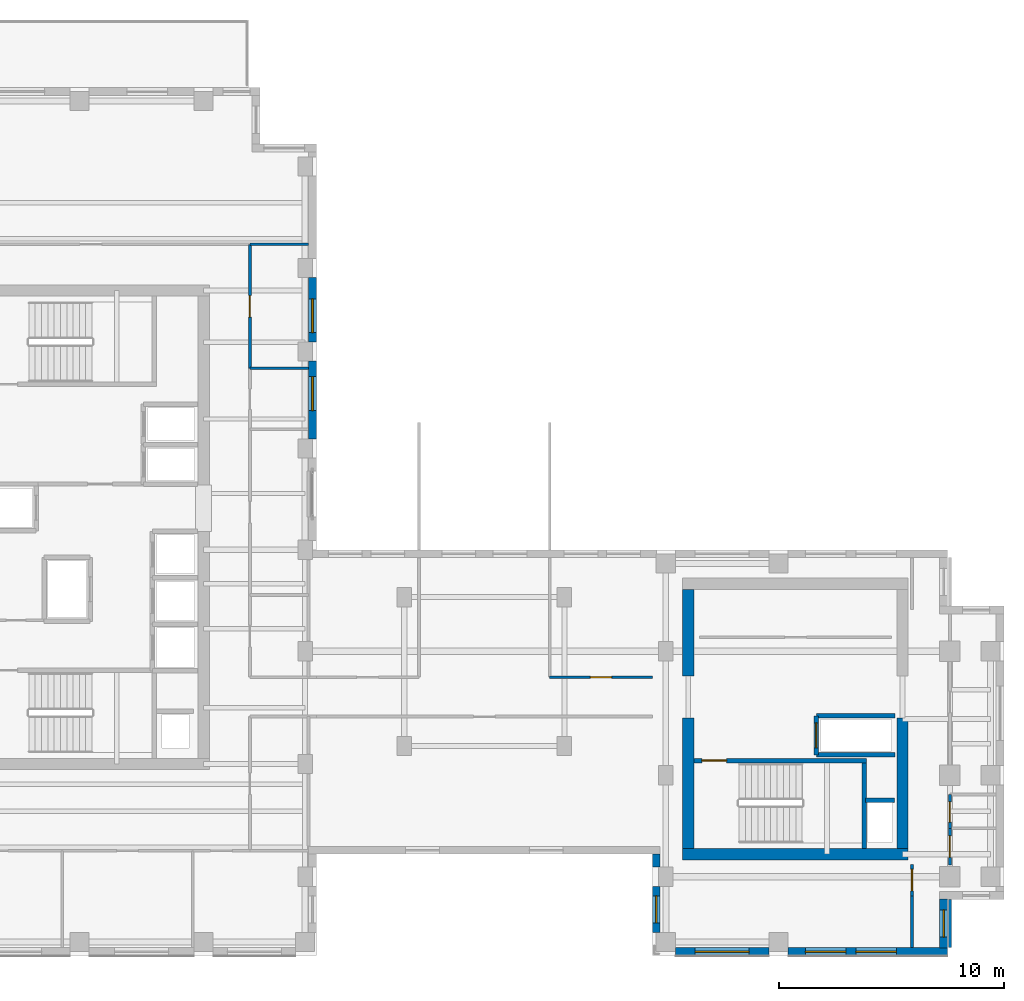
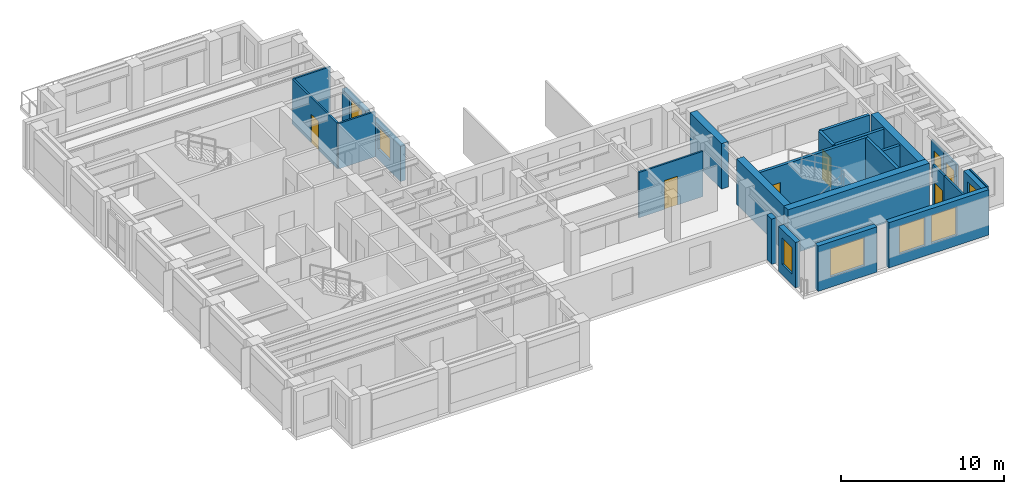
# One storey, part 9 of 14: 26 walls, 7 doors, 7 windows, 14 openings.
"""IFC4 building model written with IfcOpenShell, lengths in metres."""

from ifc_helpers import new_model, si_unit, direction, frame, frame_2d, origin, place, context, subcontext, project, spatial, rectangle, extrude, source, transform, mapped, material, layer, layer_set, type_object, element, fill, save


model = new_model("IFC4")

# Units and contexts
model_context = context("Model", 3, precision=1e-05, world=origin(), true_north=direction((0.0, 1.0)))
body_context = subcontext(model_context, "Body", "Model", "MODEL_VIEW")
ifc_project = project(units=[si_unit("LENGTHUNIT", "METRE"), si_unit("AREAUNIT", "SQUARE_METRE"), si_unit("VOLUMEUNIT", "CUBIC_METRE"), si_unit("PLANEANGLEUNIT", "RADIAN"), si_unit("MASSUNIT", "GRAM", prefix="KILO")], contexts=[model_context])

# Site, building, storey
site_placement = place(None, origin())
site = spatial("IfcSite", under=ifc_project, at=site_placement, CompositionType="ELEMENT")
building_placement = place(site_placement, origin())
building = spatial("IfcBuilding", under=site, at=building_placement, Name="Kharzan Plaza Tower", CompositionType="ELEMENT")
storey_placement = place(building_placement, frame((0.0, 0.0, 212.39990234375)))
storey = spatial("IfcBuildingStorey", under=building, at=storey_placement, Name="L57", CompositionType="ELEMENT", Elevation=212.39990234375)

# Wall, opening, window
ifc_material_1 = material(Name="Concrete C40/50", Category="concrete")
ifc_layer_1 = layer(ifc_material_1, 0.35009765625)
ifc_layer_set_1 = layer_set([ifc_layer_1], Name="Concrete C40/50")
wall_type_1 = type_object("IfcWallType", Name="WL-EXT-MAS-Z4", PredefinedType="SOLIDWALL", material=ifc_layer_set_1)
wall_1_placement = place(storey_placement, frame((34.574951171875, 3.076904296875, 0.0), z_axis=(0.0, 0.0, 1.0), x_axis=(0.0, -1.0, 0.0)))
wall_1 = element("IfcWall", 1, at=wall_1_placement, inside=storey, type_object=wall_type_1, Name="L57 Masonry-Frame Exterior Wall 29", PredefinedType="SOLIDWALL", context=body_context, shape_type="SweptSolid", body=[
    extrude(rectangle(XDim=2.053955078125, YDim=0.35009765625, at=frame_2d((1.02685546875, 0.0))), origin(), (0.0, 0.0, 1.0), 3.385009765625),
])
opening_1_placement = place(wall_1_placement, frame((0.427001953125, 0.0, 0.780029296875)))
opening_1 = element("IfcOpeningElement", 2, at=opening_1_placement, cuts=wall_1, Name="Opening W3", PredefinedType="OPENING", context=body_context, shape_type="SweptSolid", body=[
    extrude(rectangle(XDim=1.199951171875, YDim=2.0, at=frame_2d((0.60009765625, 1.0))), frame((0.0, 0.18505859375, 0.0), z_axis=(0.0, -1.0, 0.0), x_axis=(1.0, 0.0, 0.0)), (0.0, 0.0, 1.0), 0.3701171875),
])
ifc_material_2 = material(Name="Low-E Double Glazing", Category="glass")
window_type_1 = type_object("IfcWindowType", Name="WN-REC-1200x2100", PartitioningType="SINGLE_PANEL", PredefinedType="WINDOW", material=ifc_material_2)
shared_shape_1 = source(origin(), body_context, "Body", "SweptSolid", [
    extrude(rectangle(XDim=1.199951171875, YDim=2.0, at=frame_2d((0.60009765625, 1.0))), frame((0.0, 0.030029296875, 0.0), z_axis=(0.0, -1.0, 0.0), x_axis=(1.0, 0.0, 0.0)), (0.0, 0.0, 1.0), 0.06005859375),
])
window_1_placement = place(opening_1_placement, origin())
window_1 = element("IfcWindow", 3, at=window_1_placement, inside=storey, type_object=window_type_1, Name="L57 Recessed Solar-Control Window 29-1", OverallHeight=2.0, OverallWidth=1.199951171875, PartitioningType="SINGLE_PANEL", PredefinedType="WINDOW", context=body_context, shape_type="MappedRepresentation", body=[
    mapped(shared_shape_1, transform((0.0, 0.0, 0.0), x_axis=(1.0, 0.0, 0.0), y_axis=(0.0, 1.0, 0.0), z_axis=(0.0, 0.0, 1.0))),
])
fill(opening_1, window_1)

wall_2_placement = place(storey_placement, frame((35.423095703125, 0.175048828125, 0.0), z_axis=(0.0, 0.0, 1.0), x_axis=(1.0, 0.0, 0.0)))
wall_2 = element("IfcWall", 4, at=wall_2_placement, inside=storey, type_object=wall_type_1, Name="L57 Masonry-Frame Exterior Wall 30", PredefinedType="SOLIDWALL", context=body_context, shape_type="SweptSolid", body=[
    extrude(rectangle(XDim=4.15380859375, YDim=0.35009765625, at=frame_2d((2.076904296875, 0.0))), origin(), (0.0, 0.0, 1.0), 3.385009765625),
])
opening_2_placement = place(wall_2_placement, frame((0.876953125, 0.0, 0.780029296875)))
opening_2 = element("IfcOpeningElement", 5, at=opening_2_placement, cuts=wall_2, Name="Opening W2", PredefinedType="OPENING", context=body_context, shape_type="SweptSolid", body=[
    extrude(rectangle(XDim=2.39990234375, YDim=2.10009765625, at=frame_2d((1.199951171875, 1.050048828125))), frame((0.0, 0.18505859375, 0.0), z_axis=(0.0, -1.0, 0.0), x_axis=(1.0, 0.0, 0.0)), (0.0, 0.0, 1.0), 0.3701171875),
])
window_type_2 = type_object("IfcWindowType", Name="WN-REC-2400x2100", PartitioningType="SINGLE_PANEL", PredefinedType="WINDOW", material=ifc_material_2)
shared_shape_2 = source(origin(), body_context, "Body", "SweptSolid", [
    extrude(rectangle(XDim=2.39990234375, YDim=2.10009765625, at=frame_2d((1.199951171875, 1.050048828125))), frame((0.0, 0.030029296875, 0.0), z_axis=(0.0, -1.0, 0.0), x_axis=(1.0, 0.0, 0.0)), (0.0, 0.0, 1.0), 0.06005859375),
])
window_2_placement = place(opening_2_placement, origin())
window_2 = element("IfcWindow", 6, at=window_2_placement, inside=storey, type_object=window_type_2, Name="L57 Wide Recessed Solar-Control Window 30-1", OverallHeight=2.10009765625, OverallWidth=2.39990234375, PartitioningType="SINGLE_PANEL", PredefinedType="WINDOW", context=body_context, shape_type="MappedRepresentation", body=[
    mapped(shared_shape_2, transform((0.0, 0.0, 0.0), x_axis=(1.0, 0.0, 0.0), y_axis=(0.0, 1.0, 0.0), z_axis=(0.0, 0.0, 1.0))),
])
fill(opening_2, window_2)

# Wall, openings, windows
wall_3_placement = place(storey_placement, frame((40.423095703125, 0.175048828125, 0.0), z_axis=(0.0, 0.0, 1.0), x_axis=(1.0, 0.0, 0.0)))
wall_3 = element("IfcWall", 7, at=wall_3_placement, inside=storey, type_object=wall_type_1, Name="L57 Masonry-Frame Exterior Wall 31", PredefinedType="SOLIDWALL", context=body_context, shape_type="SweptSolid", body=[
    extrude(rectangle(XDim=7.076904296875, YDim=0.35009765625, at=frame_2d((3.53857421875, 0.0))), origin(), (0.0, 0.0, 1.0), 3.385009765625),
])
opening_3_placement = place(wall_3_placement, frame((0.76220703125, 0.0, 0.780029296875)))
opening_3 = element("IfcOpeningElement", 8, at=opening_3_placement, cuts=wall_3, Name="Opening W1", PredefinedType="OPENING", context=body_context, shape_type="SweptSolid", body=[
    extrude(rectangle(XDim=1.800048828125, YDim=2.10009765625, at=frame_2d((0.89990234375, 1.050048828125))), frame((0.0, 0.18505859375, 0.0), z_axis=(0.0, -1.0, 0.0), x_axis=(1.0, 0.0, 0.0)), (0.0, 0.0, 1.0), 0.3701171875),
])
opening_4_placement = place(wall_3_placement, frame((3.004638671875, 0.0, 0.780029296875)))
opening_4 = element("IfcOpeningElement", 9, at=opening_4_placement, cuts=wall_3, Name="Opening W1", PredefinedType="OPENING", context=body_context, shape_type="SweptSolid", body=[
    extrude(rectangle(XDim=1.800048828125, YDim=2.10009765625, at=frame_2d((0.89990234375, 1.050048828125))), frame((0.0, 0.18505859375, 0.0), z_axis=(0.0, -1.0, 0.0), x_axis=(1.0, 0.0, 0.0)), (0.0, 0.0, 1.0), 0.3701171875),
])
window_type_3 = type_object("IfcWindowType", Name="WN-REC-1800x2100", PartitioningType="SINGLE_PANEL", PredefinedType="WINDOW", material=ifc_material_2)
shared_shape_3 = source(origin(), body_context, "Body", "SweptSolid", [
    extrude(rectangle(XDim=1.800048828125, YDim=2.10009765625, at=frame_2d((0.89990234375, 1.050048828125))), frame((0.0, 0.030029296875, 0.0), z_axis=(0.0, -1.0, 0.0), x_axis=(1.0, 0.0, 0.0)), (0.0, 0.0, 1.0), 0.06005859375),
])
window_3_placement = place(opening_3_placement, origin())
window_3 = element("IfcWindow", 10, at=window_3_placement, inside=storey, type_object=window_type_3, Name="L57 Recessed Solar-Control Window 31-1", OverallHeight=2.10009765625, OverallWidth=1.800048828125, PartitioningType="SINGLE_PANEL", PredefinedType="WINDOW", context=body_context, shape_type="MappedRepresentation", body=[
    mapped(shared_shape_3, transform((0.0, 0.0, 0.0), x_axis=(1.0, 0.0, 0.0), y_axis=(0.0, 1.0, 0.0), z_axis=(0.0, 0.0, 1.0))),
])
fill(opening_3, window_3)
window_4_placement = place(opening_4_placement, origin())
window_4 = element("IfcWindow", 11, at=window_4_placement, inside=storey, type_object=window_type_3, Name="L57 Recessed Solar-Control Window 31-2", OverallHeight=2.10009765625, OverallWidth=1.800048828125, PartitioningType="SINGLE_PANEL", PredefinedType="WINDOW", context=body_context, shape_type="MappedRepresentation", body=[
    mapped(shared_shape_3, transform((0.0, 0.0, 0.0), x_axis=(1.0, 0.0, 0.0), y_axis=(0.0, 1.0, 0.0), z_axis=(0.0, 0.0, 1.0))),
])
fill(opening_4, window_4)

# Wall, opening, window
wall_4_placement = place(storey_placement, frame((47.324951171875, 0.347900390625, 0.0), z_axis=(0.0, 0.0, 1.0), x_axis=(0.0, 1.0, 0.0)))
wall_4 = element("IfcWall", 12, at=wall_4_placement, inside=storey, type_object=wall_type_1, Name="L57 Masonry-Frame Exterior Wall 32", PredefinedType="SOLIDWALL", context=body_context, shape_type="SweptSolid", body=[
    extrude(rectangle(XDim=2.154052734375, YDim=0.35009765625, at=frame_2d((1.0771484375, 0.0))), origin(), (0.0, 0.0, 1.0), 3.385009765625),
])
opening_5_placement = place(wall_4_placement, frame((0.47705078125, 0.0, 0.780029296875)))
opening_5 = element("IfcOpeningElement", 13, at=opening_5_placement, cuts=wall_4, Name="Opening W3", PredefinedType="OPENING", context=body_context, shape_type="SweptSolid", body=[
    extrude(rectangle(XDim=1.199951171875, YDim=2.10009765625, at=frame_2d((0.60009765625, 1.050048828125))), frame((0.0, 0.18505859375, 0.0), z_axis=(0.0, -1.0, 0.0), x_axis=(1.0, 0.0, 0.0)), (0.0, 0.0, 1.0), 0.3701171875),
])
shared_shape_4 = source(origin(), body_context, "Body", "SweptSolid", [
    extrude(rectangle(XDim=1.199951171875, YDim=2.10009765625, at=frame_2d((0.60009765625, 1.050048828125))), frame((0.0, 0.030029296875, 0.0), z_axis=(0.0, -1.0, 0.0), x_axis=(1.0, 0.0, 0.0)), (0.0, 0.0, 1.0), 0.06005859375),
])
window_5_placement = place(opening_5_placement, origin())
window_5 = element("IfcWindow", 14, at=window_5_placement, inside=storey, type_object=window_type_1, Name="L57 Recessed Solar-Control Window 32-1", OverallHeight=2.10009765625, OverallWidth=1.199951171875, PartitioningType="SINGLE_PANEL", PredefinedType="WINDOW", context=body_context, shape_type="MappedRepresentation", body=[
    mapped(shared_shape_4, transform((0.0, 0.0, 0.0), x_axis=(1.0, 0.0, 0.0), y_axis=(0.0, 1.0, 0.0), z_axis=(0.0, 0.0, 1.0))),
])
fill(opening_5, window_5)

wall_5_placement = place(storey_placement, frame((19.324951171875, 22.923095703125, 0.0), z_axis=(0.0, 0.0, 1.0), x_axis=(0.0, 1.0, 0.0)))
wall_5 = element("IfcWall", 15, at=wall_5_placement, inside=storey, type_object=wall_type_1, Name="L57 Masonry-Frame Exterior Wall 45", PredefinedType="SOLIDWALL", context=body_context, shape_type="SweptSolid", body=[
    extrude(rectangle(XDim=3.453857421875, YDim=0.35009765625, at=frame_2d((1.72705078125, 0.0))), origin(), (0.0, 0.0, 1.0), 2.619140625),
])
opening_6_placement = place(wall_5_placement, frame((1.255615234375, 0.0, 0.780029296875)))
opening_6 = element("IfcOpeningElement", 16, at=opening_6_placement, cuts=wall_5, Name="Opening W5", PredefinedType="OPENING", context=body_context, shape_type="SweptSolid", body=[
    extrude(rectangle(XDim=1.5, YDim=1.658935546875, at=frame_2d((0.75, 0.82958984375))), frame((0.0, 0.18505859375, 0.0), z_axis=(0.0, -1.0, 0.0), x_axis=(1.0, 0.0, 0.0)), (0.0, 0.0, 1.0), 0.3701171875),
])
window_type_4 = type_object("IfcWindowType", Name="WN-SLT-1500x2000", PartitioningType="SINGLE_PANEL", PredefinedType="WINDOW", material=ifc_material_2)
shared_shape_5 = source(origin(), body_context, "Body", "SweptSolid", [
    extrude(rectangle(XDim=1.5, YDim=1.658935546875, at=frame_2d((0.75, 0.82958984375))), frame((0.0, 0.030029296875, 0.0), z_axis=(0.0, -1.0, 0.0), x_axis=(1.0, 0.0, 0.0)), (0.0, 0.0, 1.0), 0.06005859375),
])
window_6_placement = place(opening_6_placement, origin())
window_6 = element("IfcWindow", 17, at=window_6_placement, inside=storey, type_object=window_type_4, Name="L57 Recessed Solar-Control Window 45-1", OverallHeight=1.658935546875, OverallWidth=1.5, PartitioningType="SINGLE_PANEL", PredefinedType="WINDOW", context=body_context, shape_type="MappedRepresentation", body=[
    mapped(shared_shape_5, transform((0.0, 0.0, 0.0), x_axis=(1.0, 0.0, 0.0), y_axis=(0.0, 1.0, 0.0), z_axis=(0.0, 0.0, 1.0))),
])
fill(opening_6, window_6)

wall_6_placement = place(storey_placement, frame((19.324951171875, 27.222900390625, 0.0), z_axis=(0.0, 0.0, 1.0), x_axis=(0.0, 1.0, 0.0)))
wall_6 = element("IfcWall", 18, at=wall_6_placement, inside=storey, type_object=wall_type_1, Name="L57 Masonry-Frame Exterior Wall 46", PredefinedType="SOLIDWALL", context=body_context, shape_type="SweptSolid", body=[
    extrude(rectangle(XDim=2.85400390625, YDim=0.35009765625, at=frame_2d((1.427001953125, 0.0))), origin(), (0.0, 0.0, 1.0), 2.619140625),
])
opening_7_placement = place(wall_6_placement, frame((0.411376953125, 0.0, 0.780029296875)))
opening_7 = element("IfcOpeningElement", 19, at=opening_7_placement, cuts=wall_6, Name="Opening W5", PredefinedType="OPENING", context=body_context, shape_type="SweptSolid", body=[
    extrude(rectangle(XDim=1.5, YDim=1.658935546875, at=frame_2d((0.75, 0.82958984375))), frame((0.0, 0.18505859375, 0.0), z_axis=(0.0, -1.0, 0.0), x_axis=(1.0, 0.0, 0.0)), (0.0, 0.0, 1.0), 0.3701171875),
])
window_7_placement = place(opening_7_placement, origin())
window_7 = element("IfcWindow", 20, at=window_7_placement, inside=storey, type_object=window_type_4, Name="L57 Recessed Solar-Control Window 46-1", OverallHeight=1.658935546875, OverallWidth=1.5, PartitioningType="SINGLE_PANEL", PredefinedType="WINDOW", context=body_context, shape_type="MappedRepresentation", body=[
    mapped(shared_shape_5, transform((0.0, 0.0, 0.0), x_axis=(1.0, 0.0, 0.0), y_axis=(0.0, 1.0, 0.0), z_axis=(0.0, 0.0, 1.0))),
])
fill(opening_7, window_7)

# Wall, opening, door
ifc_material_3 = material(Name="Fire-Rated Gypsum Board Partition", Category="gypsum")
ifc_layer_2 = layer(ifc_material_3, 0.125)
ifc_layer_set_2 = layer_set([ifc_layer_2], Name="Fire-Rated Gypsum Board Partition")
wall_type_2 = type_object("IfcWallType", Name="WL-INT-PART-125", PredefinedType="PARTITIONING", material=ifc_layer_set_2)
wall_7_placement = place(storey_placement, frame((16.550048828125, 26.050048828125, 0.0), z_axis=(0.0, 0.0, 1.0), x_axis=(0.0, 1.0, 0.0)))
wall_7 = element("IfcWall", 21, at=wall_7_placement, inside=storey, type_object=wall_type_2, Name="L57 Interior Partition SH-AEWN3", PredefinedType="PARTITIONING", context=body_context, shape_type="SweptSolid", body=[
    extrude(rectangle(XDim=5.5, YDim=0.125, at=frame_2d((2.75, 0.0))), origin(), (0.0, 0.0, 1.0), 3.385009765625),
])
opening_8_placement = place(wall_7_placement, frame((2.27490234375, 0.0, 0.0)))
opening_8 = element("IfcOpeningElement", 22, at=opening_8_placement, cuts=wall_7, Name="Opening OD1", PredefinedType="OPENING", context=body_context, shape_type="SweptSolid", body=[
    extrude(rectangle(XDim=0.949951171875, YDim=2.14990234375, at=frame_2d((0.47509765625, 1.074951171875))), frame((0.0, 0.072509765625, 0.0), z_axis=(0.0, -1.0, 0.0), x_axis=(1.0, 0.0, 0.0)), (0.0, 0.0, 1.0), 0.14501953125),
])
ifc_material_4 = material(Name="Acoustic Solid-Core Stained Oak", Category="timber")
door_type_1 = type_object("IfcDoorType", Name="DR-OFF-SINGLE", OperationType="NOTDEFINED", PredefinedType="DOOR", material=ifc_material_4)
shared_shape_6 = source(origin(), body_context, "Body", "SweptSolid", [
    extrude(rectangle(XDim=0.949951171875, YDim=2.14990234375, at=frame_2d((0.47509765625, 1.074951171875))), frame((0.0, 0.02490234375, 0.0), z_axis=(0.0, -1.0, 0.0), x_axis=(1.0, 0.0, 0.0)), (0.0, 0.0, 1.0), 0.050048828125),
])
door_1_placement = place(opening_8_placement, origin())
door_1 = element("IfcDoor", 23, at=door_1_placement, inside=storey, type_object=door_type_1, Name="L57 Staff Tea Point Door", OperationType="SINGLE_SWING_RIGHT", OverallHeight=2.14990234375, OverallWidth=0.949951171875, PredefinedType="DOOR", context=body_context, shape_type="MappedRepresentation", body=[
    mapped(shared_shape_6, transform((0.0, 0.0, 0.0), x_axis=(1.0, 0.0, 0.0), y_axis=(0.0, 1.0, 0.0), z_axis=(0.0, 0.0, 1.0))),
])
fill(opening_8, door_1)

wall_8_placement = place(storey_placement, frame((47.60009765625, 4.02001953125, 0.0), z_axis=(0.0, 0.0, 1.0), x_axis=(0.0, 1.0, 0.0)))
wall_8 = element("IfcWall", 24, at=wall_8_placement, inside=storey, type_object=wall_type_2, Name="L57 Interior Partition SH-B0W0", PredefinedType="PARTITIONING", context=body_context, shape_type="SweptSolid", body=[
    extrude(rectangle(XDim=1.6298828125, YDim=0.125, at=frame_2d((0.81494140625, 0.0))), origin(), (0.0, 0.0, 1.0), 2.773193359375),
])
opening_9_placement = place(wall_8_placement, frame((0.340087890625, 0.0, 0.0)))
opening_9 = element("IfcOpeningElement", 25, at=opening_9_placement, cuts=wall_8, Name="Opening OD1", PredefinedType="OPENING", context=body_context, shape_type="SweptSolid", body=[
    extrude(rectangle(XDim=0.949951171875, YDim=2.14990234375, at=frame_2d((0.47509765625, 1.074951171875))), frame((0.0, 0.072509765625, 0.0), z_axis=(0.0, -1.0, 0.0), x_axis=(1.0, 0.0, 0.0)), (0.0, 0.0, 1.0), 0.14501953125),
])
door_2_placement = place(opening_9_placement, origin())
door_2 = element("IfcDoor", 26, at=door_2_placement, inside=storey, type_object=door_type_1, Name="L57 Wing B South Office Door", OperationType="SINGLE_SWING_RIGHT", OverallHeight=2.14990234375, OverallWidth=0.949951171875, PredefinedType="DOOR", context=body_context, shape_type="MappedRepresentation", body=[
    mapped(shared_shape_6, transform((0.0, 0.0, 0.0), x_axis=(1.0, 0.0, 0.0), y_axis=(0.0, 1.0, 0.0), z_axis=(0.0, 0.0, 1.0))),
])
fill(opening_9, door_2)

wall_9_placement = place(storey_placement, frame((47.60009765625, 5.64990234375, 0.0), z_axis=(0.0, 0.0, 1.0), x_axis=(0.0, 1.0, 0.0)))
wall_9 = element("IfcWall", 27, at=wall_9_placement, inside=storey, type_object=wall_type_2, Name="L57 Interior Partition SH-B0WC", PredefinedType="PARTITIONING", context=body_context, shape_type="SweptSolid", body=[
    extrude(rectangle(XDim=1.5, YDim=0.125, at=frame_2d((0.75, 0.0))), origin(), (0.0, 0.0, 1.0), 2.773193359375),
])
opening_10_placement = place(wall_9_placement, frame((0.27490234375, 0.0, 0.0)))
opening_10 = element("IfcOpeningElement", 28, at=opening_10_placement, cuts=wall_9, Name="Opening WD1", PredefinedType="OPENING", context=body_context, shape_type="SweptSolid", body=[
    extrude(rectangle(XDim=0.89990234375, YDim=2.14990234375, at=frame_2d((0.449951171875, 1.074951171875))), frame((0.0, 0.072509765625, 0.0), z_axis=(0.0, -1.0, 0.0), x_axis=(1.0, 0.0, 0.0)), (0.0, 0.0, 1.0), 0.14501953125),
])
ifc_material_5 = material(Name="Moisture-Resistant Fire-Rated Laminate", Category="timber")
door_type_2 = type_object("IfcDoorType", Name="DR-WC-900", OperationType="NOTDEFINED", PredefinedType="DOOR", material=ifc_material_5)
shared_shape_7 = source(origin(), body_context, "Body", "SweptSolid", [
    extrude(rectangle(XDim=0.89990234375, YDim=2.14990234375, at=frame_2d((0.449951171875, 1.074951171875))), frame((0.0, 0.02490234375, 0.0), z_axis=(0.0, -1.0, 0.0), x_axis=(1.0, 0.0, 0.0)), (0.0, 0.0, 1.0), 0.050048828125),
])
door_3_placement = place(opening_10_placement, origin())
door_3 = element("IfcDoor", 29, at=door_3_placement, inside=storey, type_object=door_type_2, Name="L57 Wing B Washroom Door", OperationType="SINGLE_SWING_LEFT", OverallHeight=2.14990234375, OverallWidth=0.89990234375, PredefinedType="DOOR", context=body_context, shape_type="MappedRepresentation", body=[
    mapped(shared_shape_7, transform((0.0, 0.0, 0.0), x_axis=(1.0, 0.0, 0.0), y_axis=(0.0, 1.0, 0.0), z_axis=(0.0, 0.0, 1.0))),
])
fill(opening_10, door_3)

wall_10_placement = place(storey_placement, frame((45.919921875, 2.64990234375, 0.0), z_axis=(0.0, 0.0, 1.0), x_axis=(0.0, 1.0, 0.0)))
wall_10 = element("IfcWall", 30, at=wall_10_placement, inside=storey, type_object=wall_type_2, Name="L57 Interior Partition SH-RBSE", PredefinedType="PARTITIONING", context=body_context, shape_type="SweptSolid", body=[
    extrude(rectangle(XDim=1.400146484375, YDim=0.125, at=frame_2d((0.7001953125, 0.0))), origin(), (0.0, 0.0, 1.0), 3.385009765625),
])
opening_11_placement = place(wall_10_placement, frame((0.22509765625, 0.0, 0.0)))
opening_11 = element("IfcOpeningElement", 31, at=opening_11_placement, cuts=wall_10, Name="Opening OD1", PredefinedType="OPENING", context=body_context, shape_type="SweptSolid", body=[
    extrude(rectangle(XDim=0.949951171875, YDim=2.14990234375, at=frame_2d((0.47509765625, 1.074951171875))), frame((0.0, 0.072509765625, 0.0), z_axis=(0.0, -1.0, 0.0), x_axis=(1.0, 0.0, 0.0)), (0.0, 0.0, 1.0), 0.14501953125),
])
door_4_placement = place(opening_11_placement, origin())
door_4 = element("IfcDoor", 32, at=door_4_placement, inside=storey, type_object=door_type_1, Name="L57 South-East Corner Office Door", OperationType="SINGLE_SWING_RIGHT", OverallHeight=2.14990234375, OverallWidth=0.949951171875, PredefinedType="DOOR", context=body_context, shape_type="MappedRepresentation", body=[
    mapped(shared_shape_6, transform((0.0, 0.0, 0.0), x_axis=(1.0, 0.0, 0.0), y_axis=(0.0, 1.0, 0.0), z_axis=(0.0, 0.0, 1.0))),
])
fill(opening_11, door_4)

wall_11_placement = place(storey_placement, frame((29.85009765625, 12.35009765625, 0.0), z_axis=(0.0, 0.0, 1.0), x_axis=(1.0, 0.0, 0.0)))
wall_11 = element("IfcWall", 33, at=wall_11_placement, inside=storey, type_object=wall_type_2, Name="L57 Interior Partition SH-SPNE1", PredefinedType="PARTITIONING", context=body_context, shape_type="SweptSolid", body=[
    extrude(rectangle(XDim=4.5498046875, YDim=0.125, at=frame_2d((2.27490234375, 0.0))), origin(), (0.0, 0.0, 1.0), 3.385009765625),
])
opening_12_placement = place(wall_11_placement, frame((1.800048828125, 0.0, 0.0)))
opening_12 = element("IfcOpeningElement", 34, at=opening_12_placement, cuts=wall_11, Name="Opening OD1", PredefinedType="OPENING", context=body_context, shape_type="SweptSolid", body=[
    extrude(rectangle(XDim=0.949951171875, YDim=2.14990234375, at=frame_2d((0.47509765625, 1.074951171875))), frame((0.0, 0.072509765625, 0.0), z_axis=(0.0, -1.0, 0.0), x_axis=(1.0, 0.0, 0.0)), (0.0, 0.0, 1.0), 0.14501953125),
])
door_5_placement = place(opening_12_placement, origin())
door_5 = element("IfcDoor", 35, at=door_5_placement, inside=storey, type_object=door_type_1, Name="L57 North-East Spine Door", OperationType="SINGLE_SWING_LEFT", OverallHeight=2.14990234375, OverallWidth=0.949951171875, PredefinedType="DOOR", context=body_context, shape_type="MappedRepresentation", body=[
    mapped(shared_shape_6, transform((0.0, 0.0, 0.0), x_axis=(1.0, 0.0, 0.0), y_axis=(0.0, 1.0, 0.0), z_axis=(0.0, 0.0, 1.0))),
])
fill(opening_12, door_5)

ifc_layer_3 = layer(ifc_material_1, 0.199951171875)
ifc_layer_set_3 = layer_set([ifc_layer_3], Name="Concrete C40/50")
wall_type_3 = type_object("IfcWallType", Name="WL-INT-SHAFT-200", PredefinedType="PARTITIONING", material=ifc_layer_set_3)
wall_12_placement = place(storey_placement, frame((41.679931640625, 8.89990234375, 0.0), z_axis=(0.0, 0.0, 1.0), x_axis=(0.0, 1.0, 0.0)))
wall_12 = element("IfcWall", 36, at=wall_12_placement, inside=storey, type_object=wall_type_3, Name="L57 Interior Partition SHF-SVL-2-W", PredefinedType="PARTITIONING", context=body_context, shape_type="SweptSolid", body=[
    extrude(rectangle(XDim=1.739990234375, YDim=0.199951171875, at=frame_2d((0.8701171875, 0.0))), origin(), (0.0, 0.0, 1.0), 3.385009765625),
])
opening_13_placement = place(wall_12_placement, frame((0.320068359375, 0.0, 0.0)))
opening_13 = element("IfcOpeningElement", 37, at=opening_13_placement, cuts=wall_12, Name="Opening LD", PredefinedType="OPENING", context=body_context, shape_type="SweptSolid", body=[
    extrude(rectangle(XDim=1.10009765625, YDim=2.199951171875, at=frame_2d((0.550048828125, 1.10009765625))), frame((0.0, 0.10986328125, 0.0), z_axis=(0.0, -1.0, 0.0), x_axis=(1.0, 0.0, 0.0)), (0.0, 0.0, 1.0), 0.219970703125),
])
ifc_material_6 = material(Name="Brushed Stainless Steel", Category="steel")
door_type_3 = type_object("IfcDoorType", Name="DR-LIFT-SLIDE", OperationType="SLIDING_TO_LEFT", PredefinedType="DOOR", material=ifc_material_6)
shared_shape_8 = source(origin(), body_context, "Body", "SweptSolid", [
    extrude(rectangle(XDim=1.10009765625, YDim=2.199951171875, at=frame_2d((0.550048828125, 1.10009765625))), frame((0.0, 0.02490234375, 0.0), z_axis=(0.0, -1.0, 0.0), x_axis=(1.0, 0.0, 0.0)), (0.0, 0.0, 1.0), 0.050048828125),
])
door_6_placement = place(opening_13_placement, origin())
door_6 = element("IfcDoor", 38, at=door_6_placement, inside=storey, type_object=door_type_3, Name="L57 Service Lift SVL-2 Sliding Landing Door", OperationType="SLIDING_TO_LEFT", OverallHeight=2.199951171875, OverallWidth=1.10009765625, PredefinedType="DOOR", context=body_context, shape_type="MappedRepresentation", body=[
    mapped(shared_shape_8, transform((0.0, 0.0, 0.0), x_axis=(1.0, 0.0, 0.0), y_axis=(0.0, 1.0, 0.0), z_axis=(0.0, 0.0, 1.0))),
])
fill(opening_13, door_6)

ifc_material_7 = material(Name="Concrete C50/60", Category="concrete")
ifc_layer_4 = layer(ifc_material_7, 0.199951171875)
ifc_layer_set_4 = layer_set([ifc_layer_4], Name="Concrete C50/60")
wall_type_4 = type_object("IfcWallType", Name="WL-SHAFT-RC200", PredefinedType="SHEAR", material=ifc_layer_set_4)
wall_13_placement = place(storey_placement, frame((36.251953125, 8.655029296875, 0.0), z_axis=(0.0, 0.0, 1.0), x_axis=(1.0, 0.0, 0.0)))
wall_13 = element("IfcWall", 39, at=wall_13_placement, inside=storey, type_object=wall_type_4, Name="L57 Stair ST-3 North RC Shaft Wall", PredefinedType="SHEAR", context=body_context, shape_type="SweptSolid", body=[
    extrude(rectangle(XDim=7.653076171875, YDim=0.199951171875, at=frame_2d((3.82666015625, 0.0))), origin(), (0.0, 0.0, 1.0), 3.400146484375),
])
opening_14_placement = place(wall_13_placement, frame((0.35009765625, 0.0, 0.0)))
opening_14 = element("IfcOpeningElement", 40, at=opening_14_placement, cuts=wall_13, Name="Opening SD1", PredefinedType="OPENING", context=body_context, shape_type="SweptSolid", body=[
    extrude(rectangle(XDim=1.10009765625, YDim=2.14990234375, at=frame_2d((0.550048828125, 1.074951171875))), frame((0.0, 0.10986328125, 0.0), z_axis=(0.0, -1.0, 0.0), x_axis=(1.0, 0.0, 0.0)), (0.0, 0.0, 1.0), 0.219970703125),
])
ifc_material_8 = material(Name="Fire-Rated Hollow Galvanized Steel", Category="steel")
door_type_4 = type_object("IfcDoorType", Name="DR-STAIR-FD120", OperationType="NOTDEFINED", PredefinedType="DOOR", material=ifc_material_8)
shared_shape_9 = source(origin(), body_context, "Body", "SweptSolid", [
    extrude(rectangle(XDim=1.10009765625, YDim=2.14990234375, at=frame_2d((0.550048828125, 1.074951171875))), frame((0.0, 0.02490234375, 0.0), z_axis=(0.0, -1.0, 0.0), x_axis=(1.0, 0.0, 0.0)), (0.0, 0.0, 1.0), 0.050048828125),
])
door_7_placement = place(opening_14_placement, origin())
door_7 = element("IfcDoor", 41, at=door_7_placement, inside=storey, type_object=door_type_4, Name="L57 Stair ST-3 Fire Exit Door", OperationType="SINGLE_SWING_RIGHT", OverallHeight=2.14990234375, OverallWidth=1.10009765625, PredefinedType="DOOR", context=body_context, shape_type="MappedRepresentation", body=[
    mapped(shared_shape_9, transform((0.0, 0.0, 0.0), x_axis=(1.0, 0.0, 0.0), y_axis=(0.0, 1.0, 0.0), z_axis=(0.0, 0.0, 1.0))),
])
fill(opening_14, door_7)

# Walls
shared_shape_10 = source(origin(), body_context, "Body", "SweptSolid", [
    extrude(rectangle(XDim=2.2978515625, YDim=0.125, at=frame_2d((1.14892578125, 0.0))), origin(), (0.0, 0.0, 1.0), 3.385009765625),
])
wall_14_placement = place(storey_placement, frame((45.919921875, 0.35205078125, 0.0), z_axis=(0.0, 0.0, 1.0), x_axis=(0.0, 1.0, 0.0)))
element("IfcWall", 42, at=wall_14_placement, inside=storey, type_object=wall_type_2, Name="L57 Interior Partition SH-RBSE0", PredefinedType="PARTITIONING", context=body_context, shape_type="MappedRepresentation", body=[
    mapped(shared_shape_10, transform((0.0, 0.0, 0.0), x_axis=(1.0, 0.0, 0.0), y_axis=(0.0, 1.0, 0.0), z_axis=(0.0, 0.0, 1.0))),
])
shared_shape_11 = source(origin(), body_context, "Body", "SweptSolid", [
    extrude(rectangle(XDim=1.2998046875, YDim=0.199951171875, at=frame_2d((0.64990234375, 0.0))), origin(), (0.0, 0.0, 1.0), 3.385009765625),
])
wall_15_placement = place(storey_placement, frame((43.85009765625, 6.89990234375, 0.0), z_axis=(0.0, 0.0, 1.0), x_axis=(1.0, 0.0, 0.0)))
element("IfcWall", 43, at=wall_15_placement, inside=storey, type_object=wall_type_3, Name="L57 Interior Partition CB-RSRB-N", PredefinedType="PARTITIONING", context=body_context, shape_type="MappedRepresentation", body=[
    mapped(shared_shape_11, transform((0.0, 0.0, 0.0), x_axis=(1.0, 0.0, 0.0), y_axis=(0.0, 1.0, 0.0), z_axis=(0.0, 0.0, 1.0))),
])
shared_shape_12 = source(origin(), body_context, "Body", "SweptSolid", [
    extrude(rectangle(XDim=3.489990234375, YDim=0.199951171875, at=frame_2d((1.7451171875, 0.0))), origin(), (0.0, 0.0, 1.0), 3.385009765625),
])
for number, where, z_axis, x_axis, name in (
    (44, (41.679931640625, 10.639892578125, 0.0), (0.0, 0.0, 1.0), (1.0, 0.0, 0.0), "L57 Interior Partition SHF-SVL-2-N"),
    (45, (41.679931640625, 8.89990234375, 0.0), (0.0, 0.0, 1.0), (1.0, 0.0, 0.0), "L57 Interior Partition SHF-SVL-2-S"),
):
    element("IfcWall", number, at=place(storey_placement, frame(where, z_axis=z_axis, x_axis=x_axis)), inside=storey, type_object=wall_type_3, Name=name, PredefinedType="PARTITIONING", context=body_context, shape_type="MappedRepresentation", body=[
        mapped(shared_shape_12, transform((0.0, 0.0, 0.0), x_axis=(1.0, 0.0, 0.0), y_axis=(0.0, 1.0, 0.0), z_axis=(0.0, 0.0, 1.0))),
    ])
shared_shape_13 = source(origin(), body_context, "Body", "SweptSolid", [
    extrude(rectangle(XDim=2.597900390625, YDim=0.125, at=frame_2d((1.298828125, 0.0))), origin(), (0.0, 0.0, 1.0), 3.385009765625),
])
for number, where, z_axis, x_axis, name in (
    (46, (16.550048828125, 26.050048828125, 0.0), (0.0, 0.0, 1.0), (1.0, 0.0, 0.0), "L57 Interior Partition SH-AEH-260"),
    (47, (16.550048828125, 31.550048828125, 0.0), (0.0, 0.0, 1.0), (1.0, 0.0, 0.0), "L57 Interior Partition SH-NNE0"),
):
    element("IfcWall", number, at=place(storey_placement, frame(where, z_axis=z_axis, x_axis=x_axis)), inside=storey, type_object=wall_type_2, Name=name, PredefinedType="PARTITIONING", context=body_context, shape_type="MappedRepresentation", body=[
        mapped(shared_shape_13, transform((0.0, 0.0, 0.0), x_axis=(1.0, 0.0, 0.0), y_axis=(0.0, 1.0, 0.0), z_axis=(0.0, 0.0, 1.0))),
    ])
ifc_layer_5 = layer(ifc_material_7, 0.5)
ifc_layer_set_5 = layer_set([ifc_layer_5], Name="Concrete C50/60")
wall_type_5 = type_object("IfcWallType", Name="WL-CORE-500", PredefinedType="SHEAR", material=ifc_layer_set_5)
shared_shape_14 = source(origin(), body_context, "Body", "SweptSolid", [
    extrude(rectangle(XDim=5.800048828125, YDim=0.5, at=frame_2d((2.89990234375, 0.0))), origin(), (0.0, 0.0, 1.0), 3.400146484375),
])
for number, where, z_axis, x_axis, name in (
    (48, (45.5, 4.75, 0.0), (0.0, 0.0, 1.0), (0.0, 1.0, 0.0), "L57 CORE-B east shear pier 1"),
    (49, (36.0, 4.75, 0.0), (0.0, 0.0, 1.0), (0.0, 1.0, 0.0), "L57 CORE-B west shear pier 1"),
):
    element("IfcWall", number, at=place(storey_placement, frame(where, z_axis=z_axis, x_axis=x_axis)), inside=storey, type_object=wall_type_5, Name=name, PredefinedType="SHEAR", context=body_context, shape_type="MappedRepresentation", body=[
        mapped(shared_shape_14, transform((0.0, 0.0, 0.0), x_axis=(1.0, 0.0, 0.0), y_axis=(0.0, 1.0, 0.0), z_axis=(0.0, 0.0, 1.0))),
    ])
shared_shape_15 = source(origin(), body_context, "Body", "SweptSolid", [
    extrude(rectangle(XDim=3.85009765625, YDim=0.5, at=frame_2d((1.925048828125, 0.0))), origin(), (0.0, 0.0, 1.0), 3.400146484375),
])
wall_16_placement = place(storey_placement, frame((36.0, 12.39990234375, 0.0), z_axis=(0.0, 0.0, 1.0), x_axis=(0.0, 1.0, 0.0)))
element("IfcWall", 50, at=wall_16_placement, inside=storey, type_object=wall_type_5, Name="L57 CORE-B west shear pier 2", PredefinedType="SHEAR", context=body_context, shape_type="MappedRepresentation", body=[
    mapped(shared_shape_15, transform((0.0, 0.0, 0.0), x_axis=(1.0, 0.0, 0.0), y_axis=(0.0, 1.0, 0.0), z_axis=(0.0, 0.0, 1.0))),
])
shared_shape_16 = source(origin(), body_context, "Body", "SweptSolid", [
    extrude(rectangle(XDim=10.0, YDim=0.5, at=frame_2d((5.0, 0.0))), origin(), (0.0, 0.0, 1.0), 3.400146484375),
])
wall_17_placement = place(storey_placement, frame((35.75, 4.5, 0.0), z_axis=(0.0, 0.0, 1.0), x_axis=(1.0, 0.0, 0.0)))
element("IfcWall", 51, at=wall_17_placement, inside=storey, type_object=wall_type_5, Name="L57 CORE-B south RC shear wall", PredefinedType="SHEAR", context=body_context, shape_type="MappedRepresentation", body=[
    mapped(shared_shape_16, transform((0.0, 0.0, 0.0), x_axis=(1.0, 0.0, 0.0), y_axis=(0.0, 1.0, 0.0), z_axis=(0.0, 0.0, 1.0))),
])
shared_shape_17 = source(origin(), body_context, "Body", "SweptSolid", [
    extrude(rectangle(XDim=0.578857421875, YDim=0.35009765625, at=frame_2d((0.28955078125, 0.0))), origin(), (0.0, 0.0, 1.0), 3.385009765625),
])
wall_18_placement = place(storey_placement, frame((34.574951171875, 4.501953125, 0.0), z_axis=(0.0, 0.0, 1.0), x_axis=(0.0, -1.0, 0.0)))
element("IfcWall", 52, at=wall_18_placement, inside=storey, type_object=wall_type_1, Name="L57 Masonry-Frame Exterior Wall 28", PredefinedType="SOLIDWALL", context=body_context, shape_type="MappedRepresentation", body=[
    mapped(shared_shape_17, transform((0.0, 0.0, 0.0), x_axis=(1.0, 0.0, 0.0), y_axis=(0.0, 1.0, 0.0), z_axis=(0.0, 0.0, 1.0))),
])
shared_shape_18 = source(origin(), body_context, "Body", "SweptSolid", [
    extrude(rectangle(XDim=2.14794921875, YDim=0.125, at=frame_2d((1.073974609375, 0.0))), origin(), (0.0, 0.0, 1.0), 3.385009765625),
])
wall_19_placement = place(storey_placement, frame((47.60009765625, 0.35009765625, 0.0), z_axis=(0.0, 0.0, 1.0), x_axis=(0.0, 1.0, 0.0)))
element("IfcWall", 53, at=wall_19_placement, inside=storey, type_object=wall_type_2, Name="L57 Interior Partition SH-B0W0S", PredefinedType="PARTITIONING", context=body_context, shape_type="MappedRepresentation", body=[
    mapped(shared_shape_18, transform((0.0, 0.0, 0.0), x_axis=(1.0, 0.0, 0.0), y_axis=(0.0, 1.0, 0.0), z_axis=(0.0, 0.0, 1.0))),
])
shared_shape_19 = source(origin(), body_context, "Body", "SweptSolid", [
    extrude(rectangle(XDim=3.802978515625, YDim=0.199951171875, at=frame_2d((1.9013671875, 0.0))), origin(), (0.0, 0.0, 1.0), 3.400146484375),
])
wall_20_placement = place(storey_placement, frame((43.804931640625, 4.751953125, 0.0), z_axis=(0.0, 0.0, 1.0), x_axis=(0.0, 1.0, 0.0)))
element("IfcWall", 54, at=wall_20_placement, inside=storey, type_object=wall_type_4, Name="L57 Stair ST-3 East RC Shaft Wall", PredefinedType="SHEAR", context=body_context, shape_type="MappedRepresentation", body=[
    mapped(shared_shape_19, transform((0.0, 0.0, 0.0), x_axis=(1.0, 0.0, 0.0), y_axis=(0.0, 1.0, 0.0), z_axis=(0.0, 0.0, 1.0))),
])

save(model, "model.ifc")
